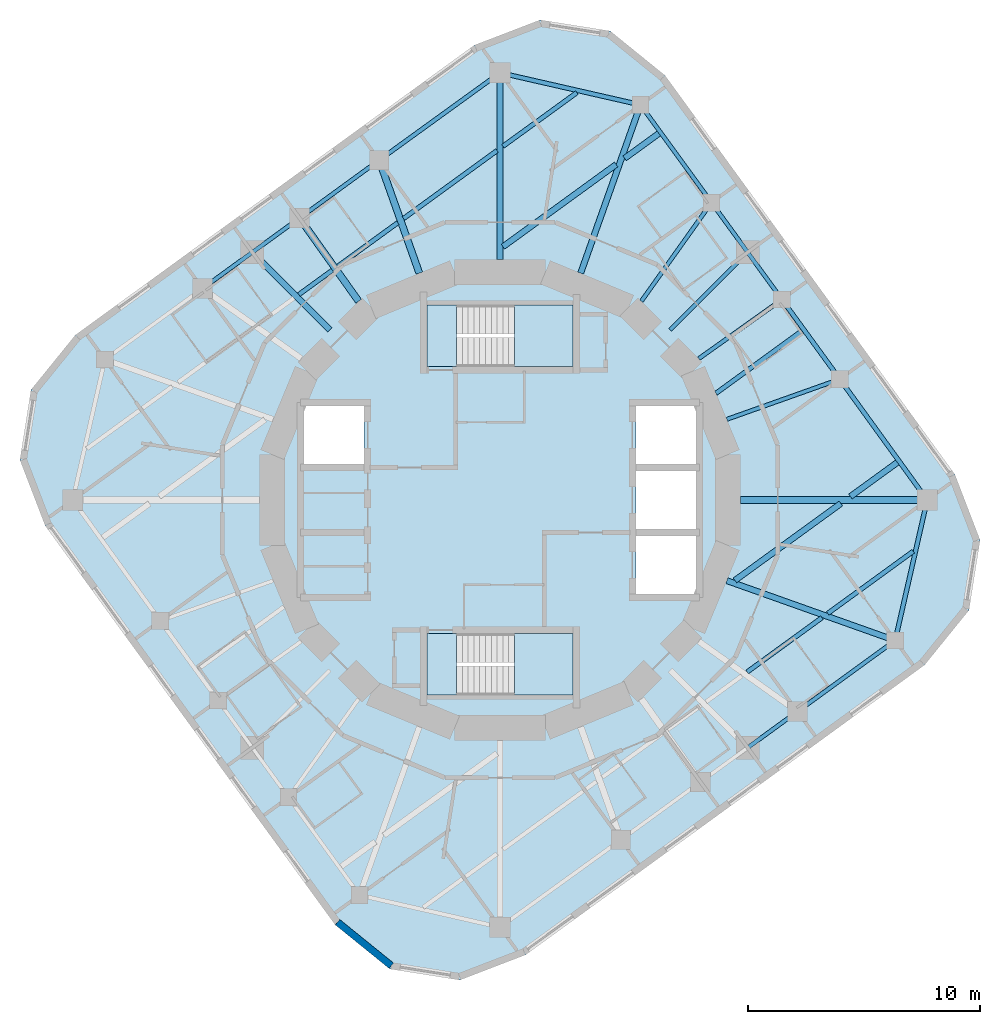
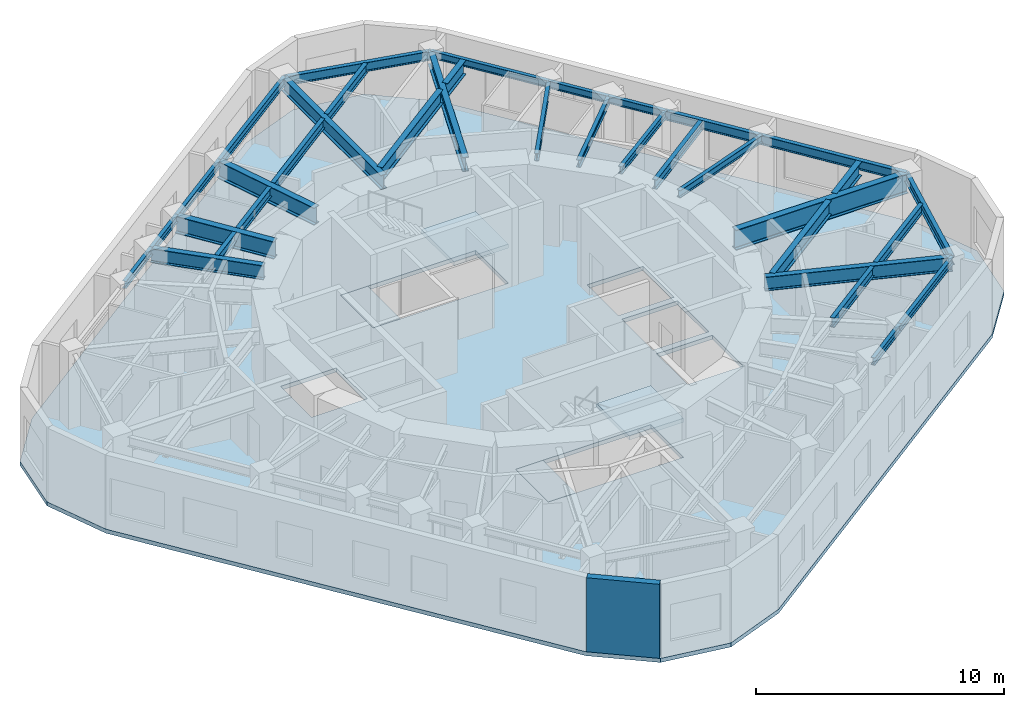
# One storey, part 2 of 9: 35 beams, 5 slabs, 1 wall, 2 elements without a shape of their own.
"""IFC4 building model written with IfcOpenShell, lengths in metres."""

import ifcopenshell
import ifcopenshell.guid

model = None  # the IFC model being written
_history = None  # IfcOwnerHistory: only IFC2X3 demands one
_inside = {}  # id of a spatial element -> (the spatial element, [elements in it])
_under = {}  # id of a project, library or spatial element -> (it, [spatial elements below it])
_declared = {}  # id of a project -> (the project, [libraries it declares])
_typed = {}  # id of a type object -> (the type object, [elements of that type])
_made_of = {}  # id of a material, layer set ... -> (it, [elements and type objects made of it])


def new_model(schema):
    """Start an empty IFC model of exactly this schema.

    Asked for "IFC4X3", IfcOpenShell would pick the latest addendum, in which some entities
    have other attributes; the version numbers below select the first issue.
    IFC2X3 requires an IfcOwnerHistory on every rooted entity: one is made here for all.
    """
    global model, _history
    if schema == "IFC4X3":
        model = ifcopenshell.file(schema_version=(4, 3, 0, 0))
    else:
        model = ifcopenshell.file(schema=schema)
    _inside.clear()
    _under.clear()
    _declared.clear()
    _typed.clear()
    _made_of.clear()
    _history = None
    if model.schema == "IFC2X3":
        org = make("IfcOrganization", Name="unknown")
        user = make(
            "IfcPersonAndOrganization",
            ThePerson=make("IfcPerson", FamilyName="unknown"),
            TheOrganization=org,
        )
        app = make(
            "IfcApplication",
            ApplicationDeveloper=org,
            Version="unknown",
            ApplicationFullName="unknown",
            ApplicationIdentifier="unknown",
        )
        _history = make(
            "IfcOwnerHistory",
            OwningUser=user,
            OwningApplication=app,
            ChangeAction="ADDED",
            CreationDate=0,
        )
    return model


def make(cls, **values):
    """One entity of the class cls with the attributes given. An attribute that is None is left unset."""
    return model.create_entity(
        cls, **{name: value for name, value in values.items() if value is not None}
    )


def rooted(cls, **values):
    """An entity with a GlobalId (a new one), such as an element, a storey or a relation."""
    return make(cls, GlobalId=ifcopenshell.guid.new(), OwnerHistory=_history, **values)


def si_unit(unit_type, name, prefix=None):
    """IfcSIUnit, for example si_unit("LENGTHUNIT", "METRE", prefix="MILLI")."""
    return make("IfcSIUnit", UnitType=unit_type, Prefix=prefix, Name=name)


def assignment(units):
    """IfcUnitAssignment: the units of a project."""
    return None if units is None else make("IfcUnitAssignment", Units=units)


def point(xyz):
    """IfcCartesianPoint."""
    return None if xyz is None else make("IfcCartesianPoint", Coordinates=xyz)


def direction(xyz):
    """IfcDirection."""
    return None if xyz is None else make("IfcDirection", DirectionRatios=xyz)


def frame(location, z_axis=None, x_axis=None):
    """IfcAxis2Placement3D, a coordinate frame: its origin and axes. An axis left out is left unset."""
    return make(
        "IfcAxis2Placement3D",
        Location=point(location),
        Axis=direction(z_axis),
        RefDirection=direction(x_axis),
    )


def frame_2d(location, x_axis=None):
    """IfcAxis2Placement2D, a coordinate frame in the plane: its origin and x axis."""
    return make(
        "IfcAxis2Placement2D", Location=point(location), RefDirection=direction(x_axis)
    )


def origin():
    """The frame at (0, 0, 0) with its axes left unset."""
    return frame((0.0, 0.0, 0.0))


def origin_2d():
    """The frame at (0, 0) in the plane with its x axis left unset."""
    return frame_2d((0.0, 0.0))


def place(relative_to, where):
    """IfcLocalPlacement: puts the frame where relative to a parent placement (None: the world)."""
    return make(
        "IfcLocalPlacement", PlacementRelTo=relative_to, RelativePlacement=where
    )


def context(
    kind, dimensions, precision=None, world=None, true_north=None, identifier=None
):
    """IfcGeometricRepresentationContext, for example the 3D "Model" context."""
    return make(
        "IfcGeometricRepresentationContext",
        ContextIdentifier=identifier,
        ContextType=kind,
        CoordinateSpaceDimension=dimensions,
        Precision=precision,
        WorldCoordinateSystem=world,
        TrueNorth=true_north,
    )


def subcontext(parent, identifier, kind, view, scale=None):
    """IfcGeometricRepresentationSubContext, for example "Body" below "Model"."""
    return make(
        "IfcGeometricRepresentationSubContext",
        ContextIdentifier=identifier,
        ContextType=kind,
        ParentContext=parent,
        TargetScale=scale,
        TargetView=view,
    )


def project(units=None, contexts=None):
    """IfcProject with its units and contexts."""
    return rooted(
        "IfcProject",
        Name="project",
        RepresentationContexts=contexts,
        UnitsInContext=assignment(units),
    )


def spatial(cls, under=None, at=None, **own):
    """A site, building, storey or space (cls), placed at a placement, below another one or the project."""
    s = rooted(cls, ObjectPlacement=at, **own)
    if under is not None:
        _under.setdefault(under.id(), (under, []))[1].append(s)
    return s


def polyline(points):
    """IfcPolyline through the points."""
    return make("IfcPolyline", Points=[point(p) for p in points])


def profile(cls, at=None, kind="AREA", **sizes):
    """A parametric profile (cls). Its sizes go by their IFC names, for example OverallWidth=200.0."""
    return make(cls, ProfileType=kind, Position=at, **sizes)


def rectangle(**sizes):
    """IfcRectangleProfileDef."""
    return profile("IfcRectangleProfileDef", **sizes)


def i_section(**sizes):
    """IfcIShapeProfileDef."""
    return profile("IfcIShapeProfileDef", **sizes)


def outline(outer, holes=None, kind="AREA"):
    """IfcArbitraryClosedProfileDef: a profile drawn as a closed curve; with holes, ...WithVoids."""
    if holes is None:
        return make("IfcArbitraryClosedProfileDef", ProfileType=kind, OuterCurve=outer)
    return make(
        "IfcArbitraryProfileDefWithVoids",
        ProfileType=kind,
        OuterCurve=outer,
        InnerCurves=holes,
    )


def extrude(swept, where, along, depth):
    """IfcExtrudedAreaSolid: the profile swept, set in the frame where, extruded along a direction by depth."""
    return make(
        "IfcExtrudedAreaSolid",
        SweptArea=swept,
        Position=where,
        ExtrudedDirection=direction(along),
        Depth=depth,
    )


def shape(context_of_items, identifier, shape_type, items):
    """IfcShapeRepresentation: the items that make up one representation, for example the "Body"."""
    return make(
        "IfcShapeRepresentation",
        ContextOfItems=context_of_items,
        RepresentationIdentifier=identifier,
        RepresentationType=shape_type,
        Items=items,
    )


def material(Name=None, Category=None):
    """IfcMaterial."""
    return make("IfcMaterial", Name=Name, Category=Category)


def layer(
    of_material, thickness, ventilated=None, Name=None, Category=None, Priority=None
):
    """IfcMaterialLayer: one layer of a wall or slab, of a material (None: an air gap)."""
    return make(
        "IfcMaterialLayer",
        Material=of_material,
        LayerThickness=thickness,
        IsVentilated=ventilated,
        Name=Name,
        Category=Category,
        Priority=Priority,
    )


def layer_set(layers, Name=None):
    """IfcMaterialLayerSet."""
    return make("IfcMaterialLayerSet", MaterialLayers=layers, LayerSetName=Name)


def material_profile(
    of_material, cross_section, Name=None, Category=None, Priority=None
):
    """IfcMaterialProfile: a cross section and its material."""
    return make(
        "IfcMaterialProfile",
        Name=Name,
        Material=of_material,
        Profile=cross_section,
        Priority=Priority,
        Category=Category,
    )


def profile_set(profiles, Name=None, composite=None):
    """IfcMaterialProfileSet."""
    return make(
        "IfcMaterialProfileSet",
        Name=Name,
        MaterialProfiles=profiles,
        CompositeProfile=composite,
    )


def made_of(thing, what):
    """Note that an element or type object is made of a material, layer set ...; save() writes the relation."""
    if what is not None:
        _made_of.setdefault(what.id(), (what, []))[1].append(thing)
    return thing


def type_object(cls, material=None, **own):
    """A type object (cls), such as IfcWallType, which elements share."""
    return made_of(rooted(cls, **own), material)


def element(
    cls,
    number,
    at=None,
    inside=None,
    cuts=None,
    type_object=None,
    material=None,
    context=None,
    identifier="Body",
    shape_type=None,
    held_by="IfcProductDefinitionShape",
    body=None,
    shapes=None,
    **own,
):
    """One element of the class cls, such as IfcWall. Its Tag is "e" and its number.

    at: its placement. inside: the storey or other place that contains it. cuts: it is an
    opening in that element (IfcRelVoidsElement). A single representation is given by context,
    identifier, shape_type and body (its items); several are given by shapes. held_by: the class
    of the entity that holds the representations. save() writes the other relations.
    """
    e = rooted(cls, Tag="e%d" % number, ObjectPlacement=at, **own)
    if body is not None:
        shapes = [shape(context, identifier, shape_type, body)]
    if shapes is not None:
        e.Representation = make(held_by, Representations=shapes)
    if inside is not None:
        _inside.setdefault(inside.id(), (inside, []))[1].append(e)
    if cuts is not None:
        rooted(
            "IfcRelVoidsElement", RelatingBuildingElement=cuts, RelatedOpeningElement=e
        )
    if type_object is not None:
        _typed.setdefault(type_object.id(), (type_object, []))[1].append(e)
    return made_of(e, material)


def aggregate(whole, parts):
    """IfcRelAggregates: a whole, such as a stair, and the parts it consists of."""
    return rooted("IfcRelAggregates", RelatingObject=whole, RelatedObjects=parts)


def save(model, path):
    """Write the relations noted so far, then the file.

    IfcRelAggregates (storeys below a building ...), IfcRelContainedInSpatialStructure (elements
    in a storey), IfcRelDefinesByType, IfcRelAssociatesMaterial and IfcRelDeclares: one each for
    every whole, place, type object, material and project.
    """
    for whole, parts in _under.values():
        aggregate(whole, parts)
    for where, things in _inside.values():
        rooted(
            "IfcRelContainedInSpatialStructure",
            RelatedElements=things,
            RelatingStructure=where,
        )
    for kind, things in _typed.values():
        rooted("IfcRelDefinesByType", RelatedObjects=things, RelatingType=kind)
    for what, things in _made_of.values():
        rooted("IfcRelAssociatesMaterial", RelatedObjects=things, RelatingMaterial=what)
    for by, libraries in _declared.values():
        rooted("IfcRelDeclares", RelatingContext=by, RelatedDefinitions=libraries)
    model.write(path)


model = new_model("IFC4")

# Units and contexts
model_context = context("Model", 3, precision=1e-05, world=origin(), true_north=direction((0.0, 1.0)))
body_context = subcontext(model_context, "Body", "Model", "MODEL_VIEW")
ifc_project = project(units=[si_unit("LENGTHUNIT", "METRE"), si_unit("AREAUNIT", "SQUARE_METRE"), si_unit("VOLUMEUNIT", "CUBIC_METRE"), si_unit("PLANEANGLEUNIT", "RADIAN"), si_unit("MASSUNIT", "GRAM", prefix="KILO")], contexts=[model_context])

# Site, building, storey
site_placement = place(None, origin())
site = spatial("IfcSite", under=ifc_project, at=site_placement, CompositionType="ELEMENT")
building_placement = place(site_placement, origin())
building = spatial("IfcBuilding", under=site, at=building_placement, Name="Nakasero Lantern House", CompositionType="ELEMENT")
storey_placement = place(building_placement, frame((0.0, 0.0, 267.60009765625)))
storey = spatial("IfcBuildingStorey", under=building, at=storey_placement, Name="L65", CompositionType="ELEMENT", Elevation=267.60009765625)

# Beams
ifc_material_1 = material(Name="Steel S355", Category="steel")
ifc_material_profile_1 = material_profile(ifc_material_1, i_section(OverallWidth=0.19140625, OverallDepth=0.4599609375, WebThickness=0.010009765625, FlangeThickness=0.01611328125, FilletRadius=0.01025390625, at=origin_2d()), Name="UB 457x191x82")
ifc_profile_set_1 = profile_set([ifc_material_profile_1], Name="Steel S355")
beam_type_1 = type_object("IfcBeamType", Name="Infill beam UB 457x191x82", PredefinedType="JOIST", material=ifc_profile_set_1)
beam_1_placement = place(storey_placement, frame((10.646240234375, -7.406982421875, 3.419921875), z_axis=(0.809006350712, 0.587799901759, 0.0), x_axis=(-0.587799901759, 0.809006350712, 0.0)))
element("IfcBeam", 1, at=beam_1_placement, inside=storey, type_object=beam_type_1, Name="Infill beam L66 03.6", PredefinedType="JOIST", context=body_context, shape_type="SweptSolid", body=[
    extrude(i_section(OverallWidth=0.19140625, OverallDepth=0.4599609375, WebThickness=0.010009765625, FlangeThickness=0.01611328125, FilletRadius=0.01025390625, at=origin_2d()), origin(), (0.0, 0.0, 1.0), 3.983154296875),
])
beam_2_placement = place(storey_placement, frame((14.117431640625, -4.885009765625, 3.419921875), z_axis=(0.80901210161, 0.587791986546, 0.0), x_axis=(-0.587791986546, 0.80901210161, 0.0)))
element("IfcBeam", 2, at=beam_2_placement, inside=storey, type_object=beam_type_1, Name="Infill beam L66 03.7", PredefinedType="JOIST", context=body_context, shape_type="SweptSolid", body=[
    extrude(i_section(OverallWidth=0.19140625, OverallDepth=0.4599609375, WebThickness=0.010009765625, FlangeThickness=0.01611328125, FilletRadius=0.01025390625, at=origin_2d()), origin(), (0.0, 0.0, 1.0), 4.55029296875),
])
beam_3_placement = place(storey_placement, frame((9.306396484375, 4.598388671875, 3.419921875), z_axis=(0.809017640959, 0.587784362344, 0.0), x_axis=(-0.587784362344, 0.809017640959, 0.0)))
element("IfcBeam", 3, at=beam_3_placement, inside=storey, type_object=beam_type_1, Name="Infill beam L66 06.1", PredefinedType="JOIST", context=body_context, shape_type="SweptSolid", body=[
    extrude(i_section(OverallWidth=0.19140625, OverallDepth=0.4599609375, WebThickness=0.010009765625, FlangeThickness=0.01611328125, FilletRadius=0.01025390625, at=origin_2d()), origin(), (0.0, 0.0, 1.0), 4.572998046875),
])
beam_4_placement = place(storey_placement, frame((-8.665283203125, 8.84619140625, 3.419921875), z_axis=(0.809060510352, 0.587725353025, 0.0), x_axis=(-0.587725353025, 0.809060510352, 0.0)))
element("IfcBeam", 4, at=beam_4_placement, inside=storey, type_object=beam_type_1, Name="Infill beam L66 10.4", PredefinedType="JOIST", context=body_context, shape_type="SweptSolid", body=[
    extrude(i_section(OverallWidth=0.19140625, OverallDepth=0.4599609375, WebThickness=0.010009765625, FlangeThickness=0.01611328125, FilletRadius=0.01025390625, at=origin_2d()), origin(), (0.0, 0.0, 1.0), 1.7890625),
])
beam_5_placement = place(storey_placement, frame((-6.981201171875, 10.069580078125, 3.419921875), z_axis=(0.809014147131, 0.587789171167, 0.0), x_axis=(-0.587789171167, 0.809014147131, 0.0)))
element("IfcBeam", 5, at=beam_5_placement, inside=storey, type_object=beam_type_1, Name="Infill beam L66 10.5", PredefinedType="JOIST", context=body_context, shape_type="SweptSolid", body=[
    extrude(i_section(OverallWidth=0.19140625, OverallDepth=0.4599609375, WebThickness=0.010009765625, FlangeThickness=0.01611328125, FilletRadius=0.01025390625, at=origin_2d()), origin(), (0.0, 0.0, 1.0), 3.188232421875),
])
beam_6_placement = place(storey_placement, frame((-4.1552734375, 12.122802734375, 3.419921875), z_axis=(0.809018056479, 0.587783790428, 0.0), x_axis=(-0.587783790428, 0.809018056479, 0.0)))
element("IfcBeam", 6, at=beam_6_placement, inside=storey, type_object=beam_type_1, Name="Infill beam L66 10.6", PredefinedType="JOIST", context=body_context, shape_type="SweptSolid", body=[
    extrude(i_section(OverallWidth=0.19140625, OverallDepth=0.4599609375, WebThickness=0.010009765625, FlangeThickness=0.01611328125, FilletRadius=0.01025390625, at=origin_2d()), origin(), (0.0, 0.0, 1.0), 4.97802734375),
])
beam_7_placement = place(storey_placement, frame((0.1279296875, 15.23486328125, 3.419921875), z_axis=(0.809028442836, 0.587769494515, 0.0), x_axis=(-0.587769494515, 0.809028442836, 0.0)))
element("IfcBeam", 7, at=beam_7_placement, inside=storey, type_object=beam_type_1, Name="Infill beam L66 10.7", PredefinedType="JOIST", context=body_context, shape_type="SweptSolid", body=[
    extrude(i_section(OverallWidth=0.19140625, OverallDepth=0.4599609375, WebThickness=0.010009765625, FlangeThickness=0.01611328125, FilletRadius=0.01025390625, at=origin_2d()), origin(), (0.0, 0.0, 1.0), 3.934814453125),
])
ifc_material_2 = material(Name="Steel S355", Category="steel")
ifc_material_profile_2 = material_profile(ifc_material_2, i_section(OverallWidth=0.255859375, OverallDepth=0.69287109375, WebThickness=0.014404296875, FlangeThickness=0.023681640625, FilletRadius=0.01513671875, at=origin_2d()), Name="UB 686x254x170")
ifc_profile_set_2 = profile_set([ifc_material_profile_2], Name="Steel S355")
beam_type_2 = type_object("IfcBeamType", Name="Infill beam UB 686x254x170", PredefinedType="JOIST", material=ifc_profile_set_2)
beam_8_placement = place(storey_placement, frame((10.119384765625, -3.46337890625, 3.303466796875), z_axis=(0.809013172462, 0.587790512669, 0.0), x_axis=(-0.587790512669, 0.809013172462, 0.0)))
element("IfcBeam", 8, at=beam_8_placement, inside=storey, type_object=beam_type_2, Name="Infill beam L66 04.3", PredefinedType="JOIST", context=body_context, shape_type="SweptSolid", body=[
    extrude(i_section(OverallWidth=0.255859375, OverallDepth=0.69287109375, WebThickness=0.014404296875, FlangeThickness=0.023681640625, FilletRadius=0.01513671875, at=origin_2d()), origin(), (0.0, 0.0, 1.0), 5.63720703125),
])
beam_9_placement = place(storey_placement, frame((15.0927734375, 0.14990234375, 3.303466796875), z_axis=(0.809015124384, 0.587787826106, 0.0), x_axis=(-0.587787826106, 0.809015124384, 0.0)))
element("IfcBeam", 9, at=beam_9_placement, inside=storey, type_object=beam_type_2, Name="Infill beam L66 04.4", PredefinedType="JOIST", context=body_context, shape_type="SweptSolid", body=[
    extrude(i_section(OverallWidth=0.255859375, OverallDepth=0.69287109375, WebThickness=0.014404296875, FlangeThickness=0.023681640625, FilletRadius=0.01513671875, at=origin_2d()), origin(), (0.0, 0.0, 1.0), 2.496337890625),
])
beam_10_placement = place(storey_placement, frame((0.1279296875, 10.908447265625, 3.303466796875), z_axis=(0.809011117524, 0.587793340998, 0.0), x_axis=(-0.587793340998, 0.809011117524, 0.0)))
element("IfcBeam", 10, at=beam_10_placement, inside=storey, type_object=beam_type_2, Name="Infill beam L66 09.3", PredefinedType="JOIST", context=body_context, shape_type="SweptSolid", body=[
    extrude(i_section(OverallWidth=0.255859375, OverallDepth=0.69287109375, WebThickness=0.014404296875, FlangeThickness=0.023681640625, FilletRadius=0.01513671875, at=origin_2d()), origin(), (0.0, 0.0, 1.0), 6.024658203125),
])
beam_11_placement = place(storey_placement, frame((5.367919921875, 14.715576171875, 3.303466796875), z_axis=(0.809025740158, 0.587773214566, 0.0), x_axis=(-0.587773214566, 0.809025740158, 0.0)))
element("IfcBeam", 11, at=beam_11_placement, inside=storey, type_object=beam_type_2, Name="Infill beam L66 09.4", PredefinedType="JOIST", context=body_context, shape_type="SweptSolid", body=[
    extrude(i_section(OverallWidth=0.255859375, OverallDepth=0.69287109375, WebThickness=0.014404296875, FlangeThickness=0.023681640625, FilletRadius=0.01513671875, at=origin_2d()), origin(), (0.0, 0.0, 1.0), 1.82177734375),
])
ifc_material_3 = material(Name="Steel S355", Category="steel")
ifc_material_profile_3 = material_profile(ifc_material_3, i_section(OverallWidth=0.300048828125, OverallDepth=0.97998046875, WebThickness=0.0166015625, FlangeThickness=0.02587890625, FilletRadius=0.030029296875, at=origin_2d()), Name="UB 1016x305x249")
ifc_profile_set_3 = profile_set([ifc_material_profile_3], Name="Steel S355")
beam_type_3 = type_object("IfcBeamType", Name="Primary beam UB 1016x305x249, span 6 to 9 m", PredefinedType="BEAM", material=ifc_profile_set_3)
beam_12_placement = place(storey_placement, frame((18.39990234375, 0.0, 3.159912109375), z_axis=(-1.0, 0.0, 0.0), x_axis=(0.0, -1.0, 0.0)))
element("IfcBeam", 12, at=beam_12_placement, inside=storey, type_object=beam_type_3, Name="Primary beam L66 B7-C03", PredefinedType="BEAM", context=body_context, shape_type="SweptSolid", body=[
    extrude(i_section(OverallWidth=0.300048828125, OverallDepth=0.97998046875, WebThickness=0.0166015625, FlangeThickness=0.02587890625, FilletRadius=0.030029296875, at=origin_2d()), origin(), (0.0, 0.0, 1.0), 8.0419921875),
])
ifc_material_4 = material(Name="Steel S355", Category="steel")
ifc_material_profile_4 = material_profile(ifc_material_4, i_section(OverallWidth=0.17138671875, OverallDepth=0.35498046875, WebThickness=0.00732421875, FlangeThickness=0.011474609375, FilletRadius=0.01025390625, at=origin_2d()), Name="UB 356x171x51")
ifc_profile_set_4 = profile_set([ifc_material_profile_4], Name="Steel S355")
beam_type_4 = type_object("IfcBeamType", Name="Primary beam UB 356x171x51, span to 6 m", PredefinedType="BEAM", material=ifc_profile_set_4)
beam_13_placement = place(storey_placement, frame((14.636474609375, 5.2041015625, 3.472412109375), z_axis=(-0.942221324153, -0.3349910093, 0.0), x_axis=(0.3349910093, -0.942221324153, 0.0)))
element("IfcBeam", 13, at=beam_13_placement, inside=storey, type_object=beam_type_4, Name="Primary beam L66 B7-C04", PredefinedType="BEAM", context=body_context, shape_type="SweptSolid", body=[
    extrude(i_section(OverallWidth=0.17138671875, OverallDepth=0.35498046875, WebThickness=0.00732421875, FlangeThickness=0.011474609375, FilletRadius=0.01025390625, at=origin_2d()), origin(), (0.0, 0.0, 1.0), 5.162841796875),
])
beam_14_placement = place(storey_placement, frame((12.1435546875, 8.63525390625, 3.472412109375), z_axis=(-0.814988544116, -0.579477068537, 0.0), x_axis=(0.579477068537, -0.814988544116, 0.0)))
element("IfcBeam", 14, at=beam_14_placement, inside=storey, type_object=beam_type_4, Name="Primary beam L66 B7-C05", PredefinedType="BEAM", context=body_context, shape_type="SweptSolid", body=[
    extrude(i_section(OverallWidth=0.17138671875, OverallDepth=0.35498046875, WebThickness=0.00732421875, FlangeThickness=0.011474609375, FilletRadius=0.01025390625, at=origin_2d()), origin(), (0.0, 0.0, 1.0), 4.396484375),
])
beam_15_placement = place(storey_placement, frame((10.667236328125, 10.667236328125, 3.472412109375), z_axis=(-0.707106781187, -0.707106781187, 0.0), x_axis=(0.707106781187, -0.707106781187, 0.0)))
element("IfcBeam", 15, at=beam_15_placement, inside=storey, type_object=beam_type_4, Name="Primary beam L66 B7-C06", PredefinedType="BEAM", context=body_context, shape_type="SweptSolid", body=[
    extrude(i_section(OverallWidth=0.17138671875, OverallDepth=0.35498046875, WebThickness=0.00732421875, FlangeThickness=0.011474609375, FilletRadius=0.01025390625, at=origin_2d()), origin(), (0.0, 0.0, 1.0), 4.727783203125),
])
beam_16_placement = place(storey_placement, frame((9.10986328125, 12.810791015625, 3.472412109375), z_axis=(-0.579500985986, -0.814971537688, 0.0), x_axis=(0.814971537688, -0.579500985986, 0.0)))
element("IfcBeam", 16, at=beam_16_placement, inside=storey, type_object=beam_type_4, Name="Primary beam L66 B7-C07", PredefinedType="BEAM", context=body_context, shape_type="SweptSolid", body=[
    extrude(i_section(OverallWidth=0.17138671875, OverallDepth=0.35498046875, WebThickness=0.00732421875, FlangeThickness=0.011474609375, FilletRadius=0.01025390625, at=origin_2d()), origin(), (0.0, 0.0, 1.0), 5.215087890625),
])
ifc_material_5 = material(Name="Steel S355", Category="steel")
ifc_material_profile_5 = material_profile(ifc_material_5, i_section(OverallWidth=0.253662109375, OverallDepth=0.68359375, WebThickness=0.012451171875, FlangeThickness=0.01904296875, FilletRadius=0.01513671875, at=origin_2d()), Name="UB 686x254x140")
ifc_profile_set_5 = profile_set([ifc_material_profile_5], Name="Steel S355")
beam_type_5 = type_object("IfcBeamType", Name="Primary beam UB 686x254x140, span 6 to 9 m", PredefinedType="BEAM", material=ifc_profile_set_5)
beam_17_placement = place(storey_placement, frame((17.02001953125, -6.051513671875, 3.30810546875), z_axis=(-0.942222036561, 0.334989005521, 0.0), x_axis=(-0.334989005521, -0.942222036561, 0.0)))
element("IfcBeam", 17, at=beam_17_placement, inside=storey, type_object=beam_type_5, Name="Primary beam L66 B7-C02", PredefinedType="BEAM", context=body_context, shape_type="SweptSolid", body=[
    extrude(i_section(OverallWidth=0.253662109375, OverallDepth=0.68359375, WebThickness=0.012451171875, FlangeThickness=0.01904296875, FilletRadius=0.01513671875, at=origin_2d()), origin(), (0.0, 0.0, 1.0), 7.6923828125),
])
ifc_material_6 = material(Name="Steel S355", Category="steel")
ifc_material_profile_6 = material_profile(ifc_material_6, i_section(OverallWidth=0.255859375, OverallDepth=0.69287109375, WebThickness=0.014404296875, FlangeThickness=0.023681640625, FilletRadius=0.01513671875, at=origin_2d()), Name="UB 686x254x170")
ifc_profile_set_6 = profile_set([ifc_material_profile_6], Name="Steel S355")
beam_type_6 = type_object("IfcBeamType", Name="Primary beam UB 686x254x170, span 6 to 9 m", PredefinedType="BEAM", material=ifc_profile_set_6)
beam_18_placement = place(storey_placement, frame((6.051513671875, 17.02001953125, 3.303466796875), z_axis=(-0.334989005521, -0.942222036561, 0.0), x_axis=(0.942222036561, -0.334989005521, 0.0)))
element("IfcBeam", 18, at=beam_18_placement, inside=storey, type_object=beam_type_6, Name="Primary beam L66 B7-C08", PredefinedType="BEAM", context=body_context, shape_type="SweptSolid", body=[
    extrude(i_section(OverallWidth=0.255859375, OverallDepth=0.69287109375, WebThickness=0.014404296875, FlangeThickness=0.023681640625, FilletRadius=0.01513671875, at=origin_2d()), origin(), (0.0, 0.0, 1.0), 7.6923828125),
])
beam_19_placement = place(storey_placement, frame((0.0, 18.39990234375, 3.303466796875), z_axis=(0.0, -1.0, 0.0), x_axis=(1.0, 0.0, 0.0)))
element("IfcBeam", 19, at=beam_19_placement, inside=storey, type_object=beam_type_6, Name="Primary beam L66 B7-C09", PredefinedType="BEAM", context=body_context, shape_type="SweptSolid", body=[
    extrude(i_section(OverallWidth=0.255859375, OverallDepth=0.69287109375, WebThickness=0.014404296875, FlangeThickness=0.023681640625, FilletRadius=0.01513671875, at=origin_2d()), origin(), (0.0, 0.0, 1.0), 8.0419921875),
])
ifc_material_7 = material(Name="Steel S355", Category="steel")
ifc_material_profile_7 = material_profile(ifc_material_7, i_section(OverallWidth=0.255859375, OverallDepth=0.69287109375, WebThickness=0.014404296875, FlangeThickness=0.023681640625, FilletRadius=0.01513671875, at=origin_2d()), Name="UB 686x254x170")
ifc_profile_set_7 = profile_set([ifc_material_profile_7], Name="Steel S355")
beam_type_7 = type_object("IfcBeamType", Name="Primary beam UB 686x254x170, span to 6 m", PredefinedType="BEAM", material=ifc_profile_set_7)
beam_20_placement = place(storey_placement, frame((-10.667236328125, 10.667236328125, 3.303466796875), z_axis=(0.707106781187, -0.707106781187, 0.0), x_axis=(0.707106781187, 0.707106781187, 0.0)))
element("IfcBeam", 20, at=beam_20_placement, inside=storey, type_object=beam_type_7, Name="Primary beam L66 B7-C12", PredefinedType="BEAM", context=body_context, shape_type="SweptSolid", body=[
    extrude(i_section(OverallWidth=0.255859375, OverallDepth=0.69287109375, WebThickness=0.014404296875, FlangeThickness=0.023681640625, FilletRadius=0.01513671875, at=origin_2d()), origin(), (0.0, 0.0, 1.0), 4.727783203125),
])
ifc_material_8 = material(Name="Steel S355", Category="steel")
ifc_material_profile_8 = material_profile(ifc_material_8, i_section(OverallWidth=0.29248046875, OverallDepth=0.8408203125, WebThickness=0.0146484375, FlangeThickness=0.02685546875, FilletRadius=0.017822265625, at=origin_2d()), Name="UB 838x292x194")
ifc_profile_set_8 = profile_set([ifc_material_profile_8], Name="Steel S355")
beam_type_8 = type_object("IfcBeamType", Name="Primary beam UB 838x292x194, span to 6 m", PredefinedType="BEAM", material=ifc_profile_set_8)
beam_21_placement = place(storey_placement, frame((-5.2041015625, 14.636474609375, 3.2294921875), z_axis=(0.3349910093, -0.942221324153, 0.0), x_axis=(0.942221324153, 0.3349910093, 0.0)))
element("IfcBeam", 21, at=beam_21_placement, inside=storey, type_object=beam_type_8, Name="Primary beam L66 B7-C10", PredefinedType="BEAM", context=body_context, shape_type="SweptSolid", body=[
    extrude(i_section(OverallWidth=0.29248046875, OverallDepth=0.8408203125, WebThickness=0.0146484375, FlangeThickness=0.02685546875, FilletRadius=0.017822265625, at=origin_2d()), origin(), (0.0, 0.0, 1.0), 5.162841796875),
])
beam_22_placement = place(storey_placement, frame((-8.63525390625, 12.1435546875, 3.2294921875), z_axis=(0.579477068537, -0.814988544116, 0.0), x_axis=(0.814988544116, 0.579477068537, 0.0)))
element("IfcBeam", 22, at=beam_22_placement, inside=storey, type_object=beam_type_8, Name="Primary beam L66 B7-C11", PredefinedType="BEAM", context=body_context, shape_type="SweptSolid", body=[
    extrude(i_section(OverallWidth=0.29248046875, OverallDepth=0.8408203125, WebThickness=0.0146484375, FlangeThickness=0.02685546875, FilletRadius=0.017822265625, at=origin_2d()), origin(), (0.0, 0.0, 1.0), 4.396484375),
])
ifc_material_9 = material(Name="Steel S355", Category="steel")
ifc_material_profile_9 = material_profile(ifc_material_9, i_section(OverallWidth=0.17138671875, OverallDepth=0.35498046875, WebThickness=0.00732421875, FlangeThickness=0.011474609375, FilletRadius=0.01025390625, at=origin_2d()), Name="UB 356x171x51")
ifc_profile_set_9 = profile_set([ifc_material_profile_9], Name="Steel S355")
beam_type_9 = type_object("IfcBeamType", Name="Ring beam UB 356x171x51", PredefinedType="BEAM", material=ifc_profile_set_9)
beam_23_placement = place(storey_placement, frame((12.810791015625, -9.10986328125, 3.472412109375), z_axis=(0.809001814948, 0.587806144414, 0.0), x_axis=(-0.587806144414, 0.809001814948, 0.0)))
element("IfcBeam", 23, at=beam_23_placement, inside=storey, type_object=beam_type_9, Name="Ring beam L66 B7-C01", PredefinedType="BEAM", context=body_context, shape_type="SweptSolid", body=[
    extrude(i_section(OverallWidth=0.17138671875, OverallDepth=0.35498046875, WebThickness=0.00732421875, FlangeThickness=0.011474609375, FilletRadius=0.01025390625, at=origin_2d()), origin(), (0.0, 0.0, 1.0), 5.202880859375),
])
beam_24_placement = place(storey_placement, frame((12.1435546875, 8.63525390625, 3.472412109375), z_axis=(-0.58778439593, 0.809017616558, 0.0), x_axis=(-0.809017616558, -0.58778439593, 0.0)))
element("IfcBeam", 24, at=beam_24_placement, inside=storey, type_object=beam_type_9, Name="Ring beam L66 B7-C05", PredefinedType="BEAM", context=body_context, shape_type="SweptSolid", body=[
    extrude(i_section(OverallWidth=0.17138671875, OverallDepth=0.35498046875, WebThickness=0.00732421875, FlangeThickness=0.011474609375, FilletRadius=0.01025390625, at=origin_2d()), origin(), (0.0, 0.0, 1.0), 2.51171875),
])
beam_25_placement = place(storey_placement, frame((10.667236328125, 10.667236328125, 3.472412109375), z_axis=(-0.587782635143, 0.809018895839, 0.0), x_axis=(-0.809018895839, -0.587782635143, 0.0)))
element("IfcBeam", 25, at=beam_25_placement, inside=storey, type_object=beam_type_9, Name="Ring beam L66 B7-C06", PredefinedType="BEAM", context=body_context, shape_type="SweptSolid", body=[
    extrude(i_section(OverallWidth=0.17138671875, OverallDepth=0.35498046875, WebThickness=0.00732421875, FlangeThickness=0.011474609375, FilletRadius=0.01025390625, at=origin_2d()), origin(), (0.0, 0.0, 1.0), 2.649658203125),
])
beam_26_placement = place(storey_placement, frame((9.10986328125, 12.810791015625, 3.472412109375), z_axis=(-0.587806144414, 0.809001814948, 0.0), x_axis=(-0.809001814948, -0.587806144414, 0.0)))
element("IfcBeam", 26, at=beam_26_placement, inside=storey, type_object=beam_type_9, Name="Ring beam L66 B7-C07", PredefinedType="BEAM", context=body_context, shape_type="SweptSolid", body=[
    extrude(i_section(OverallWidth=0.17138671875, OverallDepth=0.35498046875, WebThickness=0.00732421875, FlangeThickness=0.011474609375, FilletRadius=0.01025390625, at=origin_2d()), origin(), (0.0, 0.0, 1.0), 5.202880859375),
])
beam_27_placement = place(storey_placement, frame((-5.2041015625, 14.636474609375, 3.472412109375), z_axis=(-0.809012304944, -0.587791706687, 0.0), x_axis=(0.587791706687, -0.809012304944, 0.0)))
element("IfcBeam", 27, at=beam_27_placement, inside=storey, type_object=beam_type_9, Name="Ring beam L66 B7-C10", PredefinedType="BEAM", context=body_context, shape_type="SweptSolid", body=[
    extrude(i_section(OverallWidth=0.17138671875, OverallDepth=0.35498046875, WebThickness=0.00732421875, FlangeThickness=0.011474609375, FilletRadius=0.01025390625, at=origin_2d()), origin(), (0.0, 0.0, 1.0), 4.2412109375),
])
beam_28_placement = place(storey_placement, frame((-8.63525390625, 12.1435546875, 3.472412109375), z_axis=(-0.809017616558, -0.58778439593, 0.0), x_axis=(0.58778439593, -0.809017616558, 0.0)))
element("IfcBeam", 28, at=beam_28_placement, inside=storey, type_object=beam_type_9, Name="Ring beam L66 B7-C11", PredefinedType="BEAM", context=body_context, shape_type="SweptSolid", body=[
    extrude(i_section(OverallWidth=0.17138671875, OverallDepth=0.35498046875, WebThickness=0.00732421875, FlangeThickness=0.011474609375, FilletRadius=0.01025390625, at=origin_2d()), origin(), (0.0, 0.0, 1.0), 2.51171875),
])
for number, where, z_axis, x_axis, name in (
    (29, (-10.667236328125, 10.667236328125, 3.472412109375), (-0.809018895839, -0.587782635143, 0.0), (0.587782635143, -0.809018895839, 0.0), "Ring beam L66 B7-C12"),
    (30, (10.667236328125, -10.667236328125, 3.472412109375), (0.809018895839, 0.587782635143, 0.0), (-0.587782635143, 0.809018895839, 0.0), "Ring beam L66 B7-C24"),
):
    element("IfcBeam", number, at=place(storey_placement, frame(where, z_axis=z_axis, x_axis=x_axis)), inside=storey, type_object=beam_type_9, Name=name, PredefinedType="BEAM", context=body_context, shape_type="SweptSolid", body=[
        extrude(i_section(OverallWidth=0.17138671875, OverallDepth=0.35498046875, WebThickness=0.00732421875, FlangeThickness=0.011474609375, FilletRadius=0.01025390625, at=origin_2d()), origin(), (0.0, 0.0, 1.0), 2.649658203125),
    ])
ifc_material_10 = material(Name="Steel S355", Category="steel")
ifc_material_profile_10 = material_profile(ifc_material_10, i_section(OverallWidth=0.177978515625, OverallDepth=0.406494140625, WebThickness=0.0078125, FlangeThickness=0.0126953125, FilletRadius=0.01025390625, at=origin_2d()), Name="UB 406x178x60")
ifc_profile_set_10 = profile_set([ifc_material_profile_10], Name="Steel S355")
beam_type_10 = type_object("IfcBeamType", Name="Ring beam UB 406x178x60", PredefinedType="BEAM", material=ifc_profile_set_10)
beam_29_placement = place(storey_placement, frame((0.0, 18.39990234375, 3.44677734375), z_axis=(-0.810316200404, -0.58599287996, 0.0), x_axis=(0.58599287996, -0.810316200404, 0.0)))
element("IfcBeam", 31, at=beam_29_placement, inside=storey, type_object=beam_type_10, Name="Ring beam L66 B7-C09", PredefinedType="BEAM", context=body_context, shape_type="SweptSolid", body=[
    extrude(i_section(OverallWidth=0.177978515625, OverallDepth=0.406494140625, WebThickness=0.0078125, FlangeThickness=0.0126953125, FilletRadius=0.01025390625, at=origin_2d()), origin(), (0.0, 0.0, 1.0), 6.42236328125),
])
ifc_material_11 = material(Name="Steel S355", Category="steel")
ifc_material_profile_11 = material_profile(ifc_material_11, i_section(OverallWidth=0.18994140625, OverallDepth=0.453369140625, WebThickness=0.008544921875, FlangeThickness=0.0126953125, FilletRadius=0.01025390625, at=origin_2d()), Name="UB 457x191x67")
ifc_profile_set_11 = profile_set([ifc_material_profile_11], Name="Steel S355")
beam_type_11 = type_object("IfcBeamType", Name="Ring beam UB 457x191x67", PredefinedType="BEAM", material=ifc_profile_set_11)
beam_30_placement = place(storey_placement, frame((17.02001953125, -6.051513671875, 3.423095703125), z_axis=(0.222316387753, 0.974974575944, 0.0), x_axis=(-0.974974575944, 0.222316387753, 0.0)))
element("IfcBeam", 32, at=beam_30_placement, inside=storey, type_object=beam_type_11, Name="Ring beam L66 B7-C02", PredefinedType="BEAM", context=body_context, shape_type="SweptSolid", body=[
    extrude(i_section(OverallWidth=0.18994140625, OverallDepth=0.453369140625, WebThickness=0.008544921875, FlangeThickness=0.0126953125, FilletRadius=0.01025390625, at=origin_2d()), origin(), (0.0, 0.0, 1.0), 6.206787109375),
])
beam_31_placement = place(storey_placement, frame((14.636474609375, 5.2041015625, 3.423095703125), z_axis=(-0.587791706687, 0.809012304944, 0.0), x_axis=(-0.809012304944, -0.587791706687, 0.0)))
element("IfcBeam", 33, at=beam_31_placement, inside=storey, type_object=beam_type_11, Name="Ring beam L66 B7-C04", PredefinedType="BEAM", context=body_context, shape_type="SweptSolid", body=[
    extrude(i_section(OverallWidth=0.18994140625, OverallDepth=0.453369140625, WebThickness=0.008544921875, FlangeThickness=0.0126953125, FilletRadius=0.01025390625, at=origin_2d()), origin(), (0.0, 0.0, 1.0), 4.2412109375),
])
beam_32_placement = place(storey_placement, frame((6.051513671875, 17.02001953125, 3.423095703125), z_axis=(-0.974974575944, 0.222316387753, 0.0), x_axis=(-0.222316387753, -0.974974575944, 0.0)))
element("IfcBeam", 34, at=beam_32_placement, inside=storey, type_object=beam_type_11, Name="Ring beam L66 B7-C08", PredefinedType="BEAM", context=body_context, shape_type="SweptSolid", body=[
    extrude(i_section(OverallWidth=0.18994140625, OverallDepth=0.453369140625, WebThickness=0.008544921875, FlangeThickness=0.0126953125, FilletRadius=0.01025390625, at=origin_2d()), origin(), (0.0, 0.0, 1.0), 6.206787109375),
])
ifc_material_12 = material(Name="Steel S355", Category="steel")
ifc_material_profile_12 = material_profile(ifc_material_12, i_section(OverallWidth=0.19140625, OverallDepth=0.4599609375, WebThickness=0.010009765625, FlangeThickness=0.01611328125, FilletRadius=0.01025390625, at=origin_2d()), Name="UB 457x191x82")
ifc_profile_set_12 = profile_set([ifc_material_profile_12], Name="Steel S355")
beam_type_12 = type_object("IfcBeamType", Name="Ring beam UB 457x191x82", PredefinedType="BEAM", material=ifc_profile_set_12)
beam_33_placement = place(storey_placement, frame((18.39990234375, 0.0, 3.419921875), z_axis=(-0.58599287996, 0.810316200404, 0.0), x_axis=(-0.810316200404, -0.58599287996, 0.0)))
element("IfcBeam", 35, at=beam_33_placement, inside=storey, type_object=beam_type_12, Name="Ring beam L66 B7-C03", PredefinedType="BEAM", context=body_context, shape_type="SweptSolid", body=[
    extrude(i_section(OverallWidth=0.19140625, OverallDepth=0.4599609375, WebThickness=0.010009765625, FlangeThickness=0.01611328125, FilletRadius=0.01025390625, at=origin_2d()), origin(), (0.0, 0.0, 1.0), 6.42236328125),
])

# Slab
ifc_material_13 = material(Name="Concrete C35/45", Category="concrete")
ifc_layer_1 = layer(ifc_material_13, 0.199951171875)
ifc_layer_set_1 = layer_set([ifc_layer_1], Name="Composite floor slab 200")
slab_type_1 = type_object("IfcSlabType", Name="Composite floor slab 200", PredefinedType="FLOOR", material=ifc_layer_set_1)
slab_1_placement = place(storey_placement, frame((0.0, 0.0, -0.2001953125)))
element("IfcSlab", 36, at=slab_1_placement, inside=storey, type_object=slab_type_1, Name="Floor slab L65", PredefinedType="FLOOR", context=body_context, shape_type="SweptSolid", body=[
    extrude(outline(polyline([(7.1181640625, 18.27392578125), (4.744873046875, 20.196044921875), (1.728271484375, 20.673828125), (-1.122802734375, 19.579345703125), (-18.27392578125, 7.1181640625), (-20.196044921875, 4.744873046875), (-20.673828125, 1.728271484375), (-19.579345703125, -1.122802734375), (-7.1181640625, -18.27392578125), (-4.744873046875, -20.196044921875), (-1.728271484375, -20.673828125), (1.122802734375, -19.579345703125), (18.27392578125, -7.1181640625), (20.196044921875, -4.744873046875), (20.673828125, -1.728271484375), (19.579345703125, 1.122802734375), (7.1181640625, 18.27392578125)]), holes=[polyline([(-8.449951171875, 1.550048828125), (-5.85009765625, 1.550048828125), (-5.85009765625, 4.050048828125), (-8.449951171875, 4.050048828125), (-8.449951171875, 1.550048828125)]), polyline([(5.85009765625, -4.050048828125), (8.449951171875, -4.050048828125), (8.449951171875, -1.550048828125), (5.85009765625, -1.550048828125), (5.85009765625, -4.050048828125)]), polyline([(5.85009765625, -1.25), (8.449951171875, -1.25), (8.449951171875, 1.25), (5.85009765625, 1.25), (5.85009765625, -1.25)]), polyline([(5.85009765625, 1.550048828125), (8.449951171875, 1.550048828125), (8.449951171875, 4.050048828125), (5.85009765625, 4.050048828125), (5.85009765625, 1.550048828125)]), polyline([(-3.14990234375, 5.75), (3.14990234375, 5.75), (3.14990234375, 8.39990234375), (-3.14990234375, 8.39990234375), (-3.14990234375, 5.75)]), polyline([(-3.14990234375, -8.39990234375), (3.14990234375, -8.39990234375), (3.14990234375, -5.75), (-3.14990234375, -5.75), (-3.14990234375, -8.39990234375)])]), origin(), (0.0, 0.0, 1.0), 0.2001953125),
])

# Stair, slabs
ifc_material_14 = material(Name="Concrete C40/50", Category="concrete")
stair_type_1 = type_object("IfcStairType", Name="Escape stair ST1 22 risers", PredefinedType="HALF_TURN_STAIR", material=ifc_material_14)
stair_1_placement = place(storey_placement, origin())
stair_1 = element("IfcStair", 37, at=stair_1_placement, inside=storey, type_object=stair_type_1, Name="Escape stair ST1 L65", PredefinedType="HALF_TURN_STAIR")
ifc_material_15 = material(Name="Concrete C40/50", Category="concrete")
ifc_layer_2 = layer(ifc_material_15, 0.199951171875)
ifc_layer_set_2 = layer_set([ifc_layer_2], Name="Stair landing 200")
slab_type_2 = type_object("IfcSlabType", Name="Stair landing 200", PredefinedType="LANDING", material=ifc_layer_set_2)
slab_2_placement = place(storey_placement, frame((0.0, 0.0, -0.2001953125)))
slab_2 = element("IfcSlab", 38, at=slab_2_placement, type_object=slab_type_2, Name="ST1 landing 1", PredefinedType="LANDING", context=body_context, shape_type="SweptSolid", body=[
    extrude(outline(polyline([(-3.14990234375, 5.75), (-1.875, 5.75), (-1.875, 8.39990234375), (-3.14990234375, 8.39990234375), (-3.14990234375, 5.75)])), origin(), (0.0, 0.0, 1.0), 0.2001953125),
])
slab_3_placement = place(storey_placement, frame((0.0, 0.0, 1.724853515625)))
slab_3 = element("IfcSlab", 39, at=slab_3_placement, type_object=slab_type_2, Name="ST1 landing 2", PredefinedType="LANDING", context=body_context, shape_type="SweptSolid", body=[
    extrude(outline(polyline([(0.625, 5.75), (3.14990234375, 5.75), (3.14990234375, 8.39990234375), (0.625, 8.39990234375), (0.625, 5.75)])), origin(), (0.0, 0.0, 1.0), 0.199951171875),
])
aggregate(stair_1, [slab_2, slab_3])

ifc_material_16 = material(Name="Concrete C40/50", Category="concrete")
stair_type_2 = type_object("IfcStairType", Name="Escape stair ST2 22 risers", PredefinedType="HALF_TURN_STAIR", material=ifc_material_16)
stair_2_placement = place(storey_placement, origin())
stair_2 = element("IfcStair", 40, at=stair_2_placement, inside=storey, type_object=stair_type_2, Name="Escape stair ST2 L65", PredefinedType="HALF_TURN_STAIR")
slab_4_placement = place(storey_placement, frame((0.0, 0.0, -0.2001953125)))
slab_4 = element("IfcSlab", 41, at=slab_4_placement, type_object=slab_type_2, Name="ST2 landing 1", PredefinedType="LANDING", context=body_context, shape_type="SweptSolid", body=[
    extrude(outline(polyline([(-3.14990234375, -8.39990234375), (-1.875, -8.39990234375), (-1.875, -5.75), (-3.14990234375, -5.75), (-3.14990234375, -8.39990234375)])), origin(), (0.0, 0.0, 1.0), 0.2001953125),
])
slab_5_placement = place(storey_placement, frame((0.0, 0.0, 1.724853515625)))
slab_5 = element("IfcSlab", 42, at=slab_5_placement, type_object=slab_type_2, Name="ST2 landing 2", PredefinedType="LANDING", context=body_context, shape_type="SweptSolid", body=[
    extrude(outline(polyline([(0.625, -8.39990234375), (3.14990234375, -8.39990234375), (3.14990234375, -5.75), (0.625, -5.75), (0.625, -8.39990234375)])), origin(), (0.0, 0.0, 1.0), 0.199951171875),
])
aggregate(stair_2, [slab_4, slab_5])

# Wall
ifc_material_17 = material(Name="Aluminium rainscreen on blockwork", Category="masonry")
ifc_layer_3 = layer(ifc_material_17, 0.300048828125)
ifc_layer_set_3 = layer_set([ifc_layer_3], Name="Facade wall 300")
wall_type = type_object("IfcWallType", Name="Facade wall 300", PredefinedType="SOLIDWALL", material=ifc_layer_set_3)
wall_placement = place(storey_placement, frame((-6.996826171875, -18.185791015625, 0.0), z_axis=(0.0, 0.0, 1.0), x_axis=(0.777101588319, -0.629375183362, 0.0)))
element("IfcWall", 43, at=wall_placement, inside=storey, type_object=wall_type, Name="Facade wall L65 FW2C1", PredefinedType="SOLIDWALL", context=body_context, shape_type="SweptSolid", body=[
    extrude(rectangle(XDim=2.976318359375, YDim=0.300048828125, at=frame_2d((1.48828125, 0.0))), origin(), (0.0, 0.0, 1.0), 3.64990234375),
])

save(model, "model.ifc")
